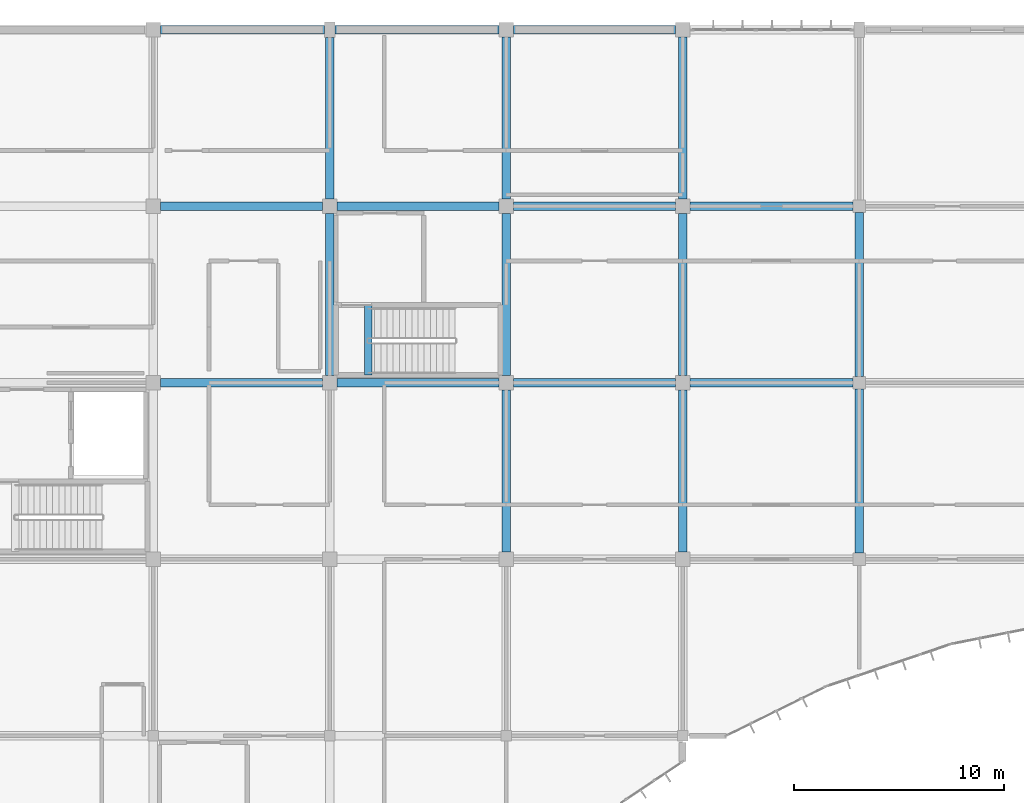
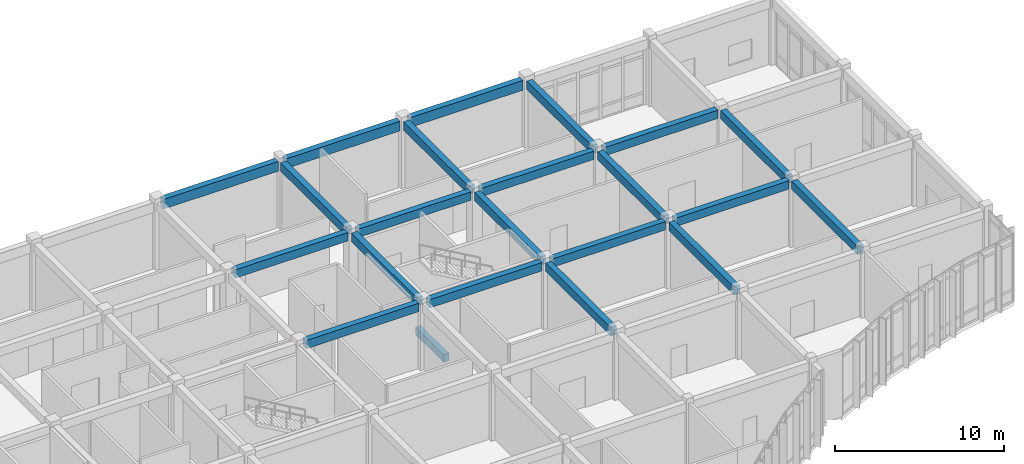
# One storey, part 63 of 134: 22 beams.
"""IFC4 building model written with IfcOpenShell, lengths in metres."""

from ifc_helpers import new_model, si_unit, direction, frame, origin, origin_2d, place, context, subcontext, project, spatial, rectangle, extrude, material, material_profile, profile_set, type_object, element, save


model = new_model("IFC4")

# Units and contexts
model_context = context("Model", 3, precision=1e-05, world=origin(), true_north=direction((0.0, 1.0)))
body_context = subcontext(model_context, "Body", "Model", "MODEL_VIEW")
ifc_project = project(units=[si_unit("LENGTHUNIT", "METRE"), si_unit("AREAUNIT", "SQUARE_METRE"), si_unit("VOLUMEUNIT", "CUBIC_METRE"), si_unit("PLANEANGLEUNIT", "RADIAN"), si_unit("MASSUNIT", "GRAM", prefix="KILO")], contexts=[model_context])

# Site, building, storey
site_placement = place(None, origin())
site = spatial("IfcSite", under=ifc_project, at=site_placement, CompositionType="ELEMENT")
building_placement = place(site_placement, origin())
building = spatial("IfcBuilding", under=site, at=building_placement, Name="Bramfleet General Hospital", CompositionType="ELEMENT")
storey_placement = place(building_placement, frame((0.0, 0.0, 9.300048828125)))
storey = spatial("IfcBuildingStorey", under=building, at=storey_placement, Name="L02", CompositionType="ELEMENT", Elevation=9.300048828125)

# Beams
ifc_material = material(Name="Concrete C35/45", Category="concrete")
ifc_material_profile_1 = material_profile(ifc_material, rectangle(XDim=0.35009765625, YDim=0.550048828125, at=origin_2d()), Name="RC BM 550x350")
ifc_profile_set_1 = profile_set([ifc_material_profile_1], Name="Concrete C35/45")
beam_type_1 = type_object("IfcBeamType", Name="BM-RC550", PredefinedType="BEAM", material=ifc_profile_set_1)
beam_1_placement = place(storey_placement, frame((136.239990234375, 101.179931640625, -0.275146484375), z_axis=(0.0, 1.0, 0.0), x_axis=(-1.0, 0.0, 0.0)))
element("IfcBeam", 1, at=beam_1_placement, inside=storey, type_object=beam_type_1, Name="L02 C9 Stairwell Trimmer Beam", PredefinedType="BEAM", context=body_context, shape_type="SweptSolid", body=[
    extrude(rectangle(XDim=0.35009765625, YDim=0.550048828125, at=origin_2d()), origin(), (0.0, 0.0, 1.0), 3.320068359375),
])
ifc_material_profile_2 = material_profile(ifc_material, rectangle(XDim=0.39990234375, YDim=0.60009765625, at=origin_2d()), Name="RC BM 600x400")
ifc_profile_set_2 = profile_set([ifc_material_profile_2], Name="Concrete C35/45")
beam_type_2 = type_object("IfcBeamType", Name="BM-RC600", PredefinedType="BEAM", material=ifc_profile_set_2)
for number, where, z_axis, x_axis, name in (
    (2, (126.35009765625, 100.800048828125, 4.47998046875), (1.0, 0.0, 0.0), (0.0, 1.0, 0.0), "L02 Grid Beam X 15-12"),
    (3, (126.35009765625, 109.199951171875, 4.47998046875), (1.0, 0.0, 0.0), (0.0, 1.0, 0.0), "L02 Grid Beam X 15-13"),
    (4, (134.75, 100.800048828125, 4.47998046875), (1.0, 0.0, 0.0), (0.0, 1.0, 0.0), "L02 Grid Beam X 16-12"),
    (5, (134.75, 109.199951171875, 4.47998046875), (1.0, 0.0, 0.0), (0.0, 1.0, 0.0), "L02 Grid Beam X 16-13"),
):
    element("IfcBeam", number, at=place(storey_placement, frame(where, z_axis=z_axis, x_axis=x_axis)), inside=storey, type_object=beam_type_2, Name=name, PredefinedType="BEAM", context=body_context, shape_type="SweptSolid", body=[
        extrude(rectangle(XDim=0.39990234375, YDim=0.60009765625, at=origin_2d()), origin(), (0.0, 0.0, 1.0), 7.699951171875),
    ])
for number, where, z_axis, x_axis, name in (
    (6, (143.14990234375, 100.800048828125, 4.47998046875), (1.0, 0.0, 0.0), (0.0, 1.0, 0.0), "L02 Grid Beam X 17-12"),
    (7, (143.14990234375, 109.199951171875, 4.47998046875), (1.0, 0.0, 0.0), (0.0, 1.0, 0.0), "L02 Grid Beam X 17-13"),
):
    element("IfcBeam", number, at=place(storey_placement, frame(where, z_axis=z_axis, x_axis=x_axis)), inside=storey, type_object=beam_type_2, Name=name, PredefinedType="BEAM", context=body_context, shape_type="SweptSolid", body=[
        extrude(rectangle(XDim=0.39990234375, YDim=0.60009765625, at=origin_2d()), origin(), (0.0, 0.0, 1.0), 7.7001953125),
    ])
for number, where, z_axis, x_axis, name in (
    (8, (151.550048828125, 100.800048828125, 4.47998046875), (1.0, 0.0, 0.0), (0.0, 1.0, 0.0), "L02 Grid Beam X 18-12"),
    (9, (151.550048828125, 109.199951171875, 4.47998046875), (1.0, 0.0, 0.0), (0.0, 1.0, 0.0), "L02 Grid Beam X 18-13"),
):
    element("IfcBeam", number, at=place(storey_placement, frame(where, z_axis=z_axis, x_axis=x_axis)), inside=storey, type_object=beam_type_2, Name=name, PredefinedType="BEAM", context=body_context, shape_type="SweptSolid", body=[
        extrude(rectangle(XDim=0.39990234375, YDim=0.60009765625, at=origin_2d()), origin(), (0.0, 0.0, 1.0), 7.75),
    ])
beam_2_placement = place(storey_placement, frame((134.39990234375, 101.14990234375, 4.47998046875), z_axis=(0.0, 1.0, 0.0), x_axis=(-1.0, 0.0, 0.0)))
element("IfcBeam", 10, at=beam_2_placement, inside=storey, type_object=beam_type_2, Name="L02 Grid Beam Y 16-12", PredefinedType="BEAM", context=body_context, shape_type="SweptSolid", body=[
    extrude(rectangle(XDim=0.39990234375, YDim=0.60009765625, at=origin_2d()), origin(), (0.0, 0.0, 1.0), 7.7001953125),
])
beam_3_placement = place(storey_placement, frame((134.39990234375, 109.550048828125, 4.47998046875), z_axis=(0.0, 1.0, 0.0), x_axis=(-1.0, 0.0, 0.0)))
element("IfcBeam", 11, at=beam_3_placement, inside=storey, type_object=beam_type_2, Name="L02 Grid Beam Y 16-13", PredefinedType="BEAM", context=body_context, shape_type="SweptSolid", body=[
    extrude(rectangle(XDim=0.39990234375, YDim=0.60009765625, at=origin_2d()), origin(), (0.0, 0.0, 1.0), 7.675048828125),
])
beam_4_placement = place(storey_placement, frame((142.800048828125, 92.75, 4.47998046875), z_axis=(0.0, 1.0, 0.0), x_axis=(-1.0, 0.0, 0.0)))
element("IfcBeam", 12, at=beam_4_placement, inside=storey, type_object=beam_type_2, Name="L02 Grid Beam Y 17-11", PredefinedType="BEAM", context=body_context, shape_type="SweptSolid", body=[
    extrude(rectangle(XDim=0.39990234375, YDim=0.60009765625, at=origin_2d()), origin(), (0.0, 0.0, 1.0), 7.699951171875),
])
beam_5_placement = place(storey_placement, frame((142.800048828125, 101.14990234375, 4.47998046875), z_axis=(0.0, 1.0, 0.0), x_axis=(-1.0, 0.0, 0.0)))
element("IfcBeam", 13, at=beam_5_placement, inside=storey, type_object=beam_type_2, Name="L02 Grid Beam Y 17-12", PredefinedType="BEAM", context=body_context, shape_type="SweptSolid", body=[
    extrude(rectangle(XDim=0.39990234375, YDim=0.60009765625, at=origin_2d()), origin(), (0.0, 0.0, 1.0), 7.7001953125),
])
for number, where, z_axis, x_axis, name in (
    (14, (142.800048828125, 109.550048828125, 4.47998046875), (0.0, 1.0, 0.0), (-1.0, 0.0, 0.0), "L02 Grid Beam Y 17-13"),
    (15, (151.199951171875, 92.75, 4.47998046875), (0.0, 1.0, 0.0), (-1.0, 0.0, 0.0), "L02 Grid Beam Y 18-11"),
):
    element("IfcBeam", number, at=place(storey_placement, frame(where, z_axis=z_axis, x_axis=x_axis)), inside=storey, type_object=beam_type_2, Name=name, PredefinedType="BEAM", context=body_context, shape_type="SweptSolid", body=[
        extrude(rectangle(XDim=0.39990234375, YDim=0.60009765625, at=origin_2d()), origin(), (0.0, 0.0, 1.0), 7.699951171875),
    ])
beam_6_placement = place(storey_placement, frame((151.199951171875, 101.14990234375, 4.47998046875), z_axis=(0.0, 1.0, 0.0), x_axis=(-1.0, 0.0, 0.0)))
element("IfcBeam", 16, at=beam_6_placement, inside=storey, type_object=beam_type_2, Name="L02 Grid Beam Y 18-12", PredefinedType="BEAM", context=body_context, shape_type="SweptSolid", body=[
    extrude(rectangle(XDim=0.39990234375, YDim=0.60009765625, at=origin_2d()), origin(), (0.0, 0.0, 1.0), 7.7001953125),
])
beam_7_placement = place(storey_placement, frame((151.199951171875, 109.550048828125, 4.47998046875), z_axis=(0.0, 1.0, 0.0), x_axis=(-1.0, 0.0, 0.0)))
element("IfcBeam", 17, at=beam_7_placement, inside=storey, type_object=beam_type_2, Name="L02 Grid Beam Y 18-13", PredefinedType="BEAM", context=body_context, shape_type="SweptSolid", body=[
    extrude(rectangle(XDim=0.39990234375, YDim=0.60009765625, at=origin_2d()), origin(), (0.0, 0.0, 1.0), 7.699951171875),
])
beam_8_placement = place(storey_placement, frame((159.60009765625, 92.699951171875, 4.47998046875), z_axis=(0.0, 1.0, 0.0), x_axis=(-1.0, 0.0, 0.0)))
element("IfcBeam", 18, at=beam_8_placement, inside=storey, type_object=beam_type_2, Name="L02 Grid Beam Y 19-11", PredefinedType="BEAM", context=body_context, shape_type="SweptSolid", body=[
    extrude(rectangle(XDim=0.39990234375, YDim=0.60009765625, at=origin_2d()), origin(), (0.0, 0.0, 1.0), 7.800048828125),
])
beam_9_placement = place(storey_placement, frame((159.60009765625, 101.10009765625, 4.47998046875), z_axis=(0.0, 1.0, 0.0), x_axis=(-1.0, 0.0, 0.0)))
element("IfcBeam", 19, at=beam_9_placement, inside=storey, type_object=beam_type_2, Name="L02 Grid Beam Y 19-12", PredefinedType="BEAM", context=body_context, shape_type="SweptSolid", body=[
    extrude(rectangle(XDim=0.39990234375, YDim=0.60009765625, at=origin_2d()), origin(), (0.0, 0.0, 1.0), 7.7998046875),
])
ifc_material_profile_3 = material_profile(ifc_material, rectangle(XDim=0.39990234375, YDim=0.699951171875, at=origin_2d()), Name="RC SP 700x400")
ifc_profile_set_3 = profile_set([ifc_material_profile_3], Name="Concrete C35/45")
beam_type_3 = type_object("IfcBeamType", Name="BM-SP700", PredefinedType="SPANDREL", material=ifc_profile_set_3)
beam_10_placement = place(storey_placement, frame((126.35009765625, 117.60009765625, 4.429931640625), z_axis=(1.0, 0.0, 0.0), x_axis=(0.0, 1.0, 0.0)))
element("IfcBeam", 20, at=beam_10_placement, inside=storey, type_object=beam_type_3, Name="L02 Grid Beam X 15-14", PredefinedType="SPANDREL", context=body_context, shape_type="SweptSolid", body=[
    extrude(rectangle(XDim=0.39990234375, YDim=0.699951171875, at=origin_2d()), origin(), (0.0, 0.0, 1.0), 7.7998046875),
])
beam_11_placement = place(storey_placement, frame((134.64990234375, 117.60009765625, 4.429931640625), z_axis=(1.0, 0.0, 0.0), x_axis=(0.0, 1.0, 0.0)))
element("IfcBeam", 21, at=beam_11_placement, inside=storey, type_object=beam_type_3, Name="L02 Grid Beam X 16-14", PredefinedType="SPANDREL", context=body_context, shape_type="SweptSolid", body=[
    extrude(rectangle(XDim=0.39990234375, YDim=0.699951171875, at=origin_2d()), origin(), (0.0, 0.0, 1.0), 7.800048828125),
])
beam_12_placement = place(storey_placement, frame((143.14990234375, 117.60009765625, 4.429931640625), z_axis=(1.0, 0.0, 0.0), x_axis=(0.0, 1.0, 0.0)))
element("IfcBeam", 22, at=beam_12_placement, inside=storey, type_object=beam_type_3, Name="L02 Grid Beam X 17-14", PredefinedType="SPANDREL", context=body_context, shape_type="SweptSolid", body=[
    extrude(rectangle(XDim=0.39990234375, YDim=0.699951171875, at=origin_2d()), origin(), (0.0, 0.0, 1.0), 7.7001953125),
])

save(model, "model.ifc")
